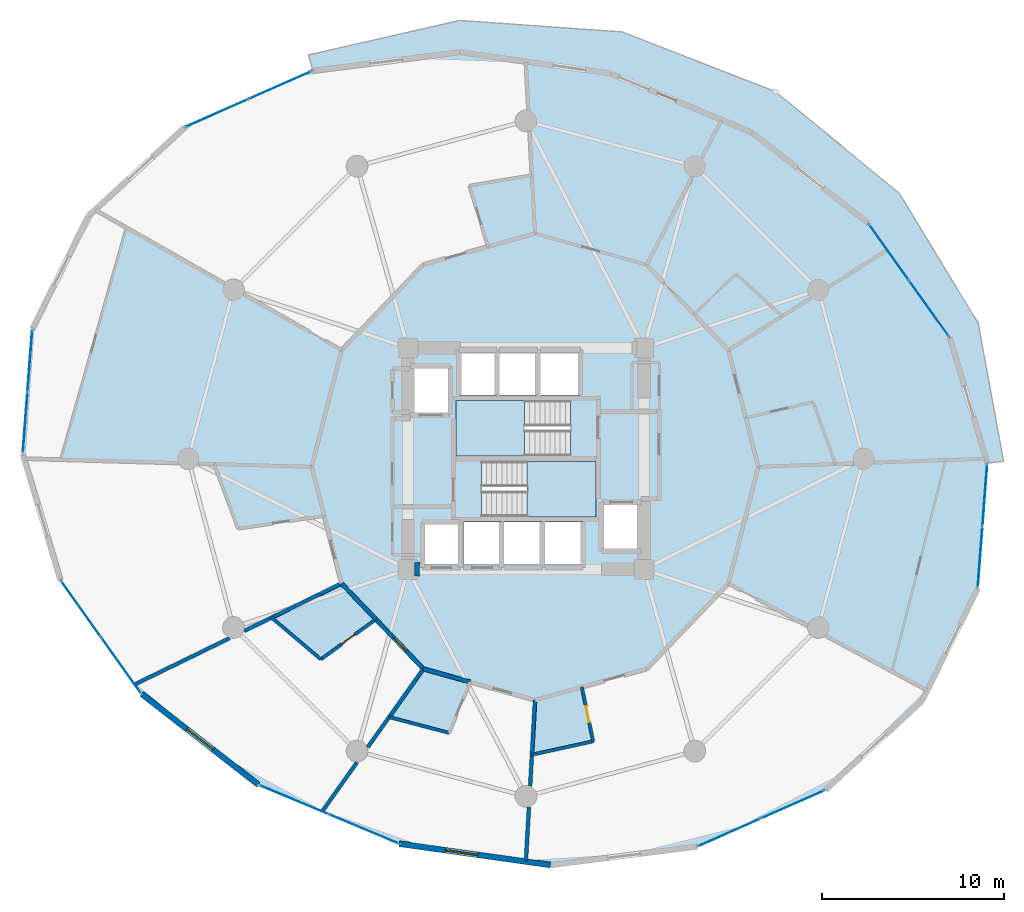
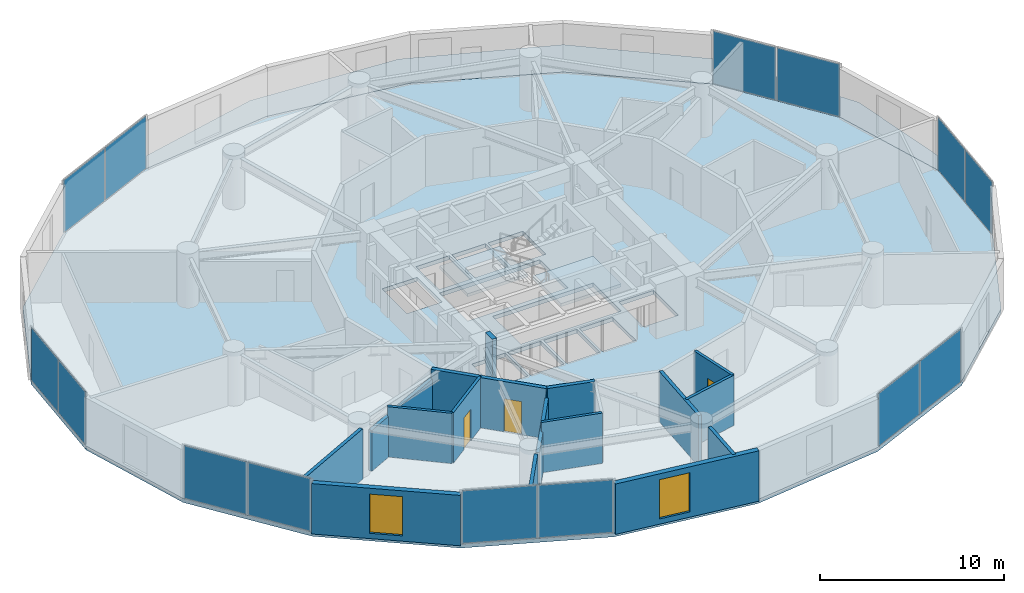
# One storey, part 18 of 25: 17 walls, 14 plates, 4 slabs, 3 doors, 2 windows, 5 openings, 9 elements without a shape of their own.
"""IFC4 building model written with IfcOpenShell, lengths in metres."""

from ifc_helpers import new_model, si_unit, direction, frame, frame_2d, origin, origin_2d, place, context, subcontext, project, spatial, polyline, rectangle, outline, extrude, source, transform, mapped, material, layer, layer_set, type_object, element, fill, aggregate, save


model = new_model("IFC4")

# Units and contexts
model_context = context("Model", 3, precision=1e-05, world=origin(), true_north=direction((0.0, 1.0)))
body_context = subcontext(model_context, "Body", "Model", "MODEL_VIEW")
ifc_project = project(units=[si_unit("LENGTHUNIT", "METRE"), si_unit("AREAUNIT", "SQUARE_METRE"), si_unit("VOLUMEUNIT", "CUBIC_METRE"), si_unit("PLANEANGLEUNIT", "RADIAN"), si_unit("MASSUNIT", "GRAM", prefix="KILO")], contexts=[model_context])

# Site, building, storey
site_placement = place(None, origin())
site = spatial("IfcSite", under=ifc_project, at=site_placement, CompositionType="ELEMENT")
building_placement = place(site_placement, origin())
building = spatial("IfcBuilding", under=site, at=building_placement, Name="Solvirekh Grand Hotel", CompositionType="ELEMENT")
storey_placement = place(building_placement, frame((0.0, 0.0, 60.800048828125)))
storey = spatial("IfcBuildingStorey", under=building, at=storey_placement, Name="L14", CompositionType="ELEMENT", Elevation=60.800048828125)

# Slab
ifc_material_1 = material(Name="Concrete C50/60", Category="concrete")
ifc_layer_1 = layer(ifc_material_1, 0.215087890625)
ifc_layer_set_1 = layer_set([ifc_layer_1], Name="Concrete C50/60")
slab_type_1 = type_object("IfcSlabType", Name="ExtCrescentBalc_215", PredefinedType="FLOOR", material=ifc_layer_set_1)
slab_1_placement = place(storey_placement, frame((0.0, 0.0, -0.215087890625)))
element("IfcSlab", 1, at=slab_1_placement, inside=storey, type_object=slab_type_1, Name="L14 sweeping crescent balcony slab", PredefinedType="FLOOR", context=body_context, shape_type="SweptSolid", body=[
    extrude(outline(polyline([(26.306884765625, -0.14599609375), (24.906982421875, 7.4599609375), (20.573974609375, 14.60693359375), (13.7451171875, 20.212890625), (5.305908203125, 23.501953125), (-3.636962890625, 24.135986328125), (-11.97607421875, 22.235107421875), (-11.739013671875, 21.365966796875), (-3.653076171875, 22.385986328125), (4.677001953125, 21.214111328125), (12.43798828125, 17.966064453125), (18.867919921875, 12.958984375), (23.337890625, 6.68310546875), (25.412109375, -0.24609375), (26.306884765625, -0.14599609375)])), origin(), (0.0, 0.0, 1.0), 0.215087890625),
])

# Stair, slab
ifc_material_2 = material(Name="Concrete C40/50", Category="concrete")
stair_type = type_object("IfcStairType", Name="Stair_Core_1450", PredefinedType="HALF_TURN_STAIR", material=ifc_material_2)
stair_1_placement = place(storey_placement, origin())
stair_1 = element("IfcStair", 2, at=stair_1_placement, inside=storey, type_object=stair_type, Name="L14 Enclosed exit stair ST-1", PredefinedType="HALF_TURN_STAIR")
ifc_layer_2 = layer(ifc_material_2, 0.199951171875)
ifc_layer_set_2 = layer_set([ifc_layer_2], Name="Concrete C40/50")
slab_type_2 = type_object("IfcSlabType", Name="Landing_Stair_200", PredefinedType="LANDING", material=ifc_layer_set_2)
slab_2_placement = place(storey_placement, frame((0.0, 0.0, 1.599853515625)))
slab_2 = element("IfcSlab", 3, at=slab_2_placement, type_object=slab_type_2, Name="ST-1 landing 1", PredefinedType="LANDING", context=body_context, shape_type="SweptSolid", body=[
    extrude(outline(polyline([(0.070068359375, -3.199951171875), (3.85009765625, -3.199951171875), (3.85009765625, -0.14990234375), (0.070068359375, -0.14990234375), (0.070068359375, -3.199951171875)])), origin(), (0.0, 0.0, 1.0), 0.2001953125),
])
aggregate(stair_1, [slab_2])

stair_2_placement = place(storey_placement, origin())
stair_2 = element("IfcStair", 4, at=stair_2_placement, inside=storey, type_object=stair_type, Name="L14 Enclosed exit stair ST-2", PredefinedType="HALF_TURN_STAIR")
slab_3_placement = place(storey_placement, frame((0.0, 0.0, 1.599853515625)))
slab_3 = element("IfcSlab", 5, at=slab_3_placement, type_object=slab_type_2, Name="ST-2 landing 1", PredefinedType="LANDING", context=body_context, shape_type="SweptSolid", body=[
    extrude(outline(polyline([(-0.070068359375, 3.199951171875), (-3.85009765625, 3.199951171875), (-3.85009765625, 0.14990234375), (-0.070068359375, 0.14990234375), (-0.070068359375, 3.199951171875)])), origin(), (0.0, 0.0, 1.0), 0.2001953125),
])
aggregate(stair_2, [slab_3])

# Slab
ifc_layer_3 = layer(ifc_material_1, 0.260009765625)
ifc_layer_set_3 = layer_set([ifc_layer_3], Name="Concrete C50/60")
slab_type_3 = type_object("IfcSlabType", Name="Slab_GuestZ1_260", PredefinedType="FLOOR", material=ifc_layer_set_3)
slab_4_placement = place(storey_placement, frame((0.0, 0.0, -0.260009765625)))
element("IfcSlab", 6, at=slab_4_placement, inside=storey, type_object=slab_type_3, Name="L14 structural floor slab", PredefinedType="FLOOR", context=body_context, shape_type="SweptSolid", body=[
    extrude(outline(polyline([(24.885986328125, -7.152099609375), (25.412109375, -0.24609375), (23.337890625, 6.68310546875), (18.867919921875, 12.958984375), (12.43798828125, 17.966064453125), (4.677001953125, 21.214111328125), (-3.653076171875, 22.385986328125), (-11.739013671875, 21.365966796875), (-18.7880859375, 18.2548828125), (-24.111083984375, 13.35693359375), (-27.18603515625, 7.152099609375), (-27.7119140625, 0.24609375), (-25.637939453125, -6.68310546875), (-21.16796875, -12.958984375), (-14.738037109375, -17.966064453125), (-6.97705078125, -21.214111328125), (1.35302734375, -22.385986328125), (9.43896484375, -21.365966796875), (16.488037109375, -18.2548828125), (21.81103515625, -13.35693359375), (24.885986328125, -7.152099609375)]), holes=[polyline([(-2.444091796875, -0.14990234375), (3.85009765625, -0.14990234375), (3.85009765625, -3.199951171875), (-2.444091796875, -3.199951171875), (-2.444091796875, -0.14990234375)]), polyline([(2.444091796875, 0.14990234375), (-3.85009765625, 0.14990234375), (-3.85009765625, 3.199951171875), (2.444091796875, 3.199951171875), (2.444091796875, 0.14990234375)]), polyline([(-5.699951171875, -3.5), (-3.60009765625, -3.5), (-3.60009765625, -6.0), (-5.699951171875, -6.0), (-5.699951171875, -3.5)]), polyline([(-3.449951171875, -3.5), (-1.35009765625, -3.5), (-1.35009765625, -6.0), (-3.449951171875, -6.0), (-3.449951171875, -3.5)]), polyline([(-1.199951171875, -3.5), (0.89990234375, -3.5), (0.89990234375, -6.0), (-1.199951171875, -6.0), (-1.199951171875, -3.5)]), polyline([(1.050048828125, -3.5), (3.14990234375, -3.5), (3.14990234375, -6.0), (1.050048828125, -6.0), (1.050048828125, -3.5)]), polyline([(-3.699951171875, 6.0), (-1.60009765625, 6.0), (-1.60009765625, 3.5), (-3.699951171875, 3.5), (-3.699951171875, 6.0)]), polyline([(-1.449951171875, 6.0), (0.64990234375, 6.0), (0.64990234375, 3.5), (-1.449951171875, 3.5), (-1.449951171875, 6.0)]), polyline([(0.800048828125, 6.0), (3.0, 6.0), (3.0, 3.5), (0.800048828125, 3.5), (0.800048828125, 6.0)]), polyline([(-6.35009765625, 5.10009765625), (-4.14990234375, 5.10009765625), (-4.14990234375, 2.39990234375), (-6.35009765625, 2.39990234375), (-6.35009765625, 5.10009765625)]), polyline([(4.14990234375, -2.39990234375), (6.35009765625, -2.39990234375), (6.35009765625, -5.10009765625), (4.14990234375, -5.10009765625), (4.14990234375, -2.39990234375)])]), origin(), (0.0, 0.0, 1.0), 0.260009765625),
])

# Curtain wall, plates
ifc_material_3 = material(Name="Anodized Bronze Aluminium 6063-T6", Category="aluminium")
ifc_layer_4 = layer(ifc_material_3, 0.18994140625)
ifc_layer_set_4 = layer_set([ifc_layer_4], Name="Anodized Bronze Aluminium 6063-T6")
curtain_wall_type = type_object("IfcCurtainWallType", Name="CW_Sys2_LowZoneFlushBronzeCW", PredefinedType="NOTDEFINED", material=ifc_layer_set_4)
curtain_wall_1_placement = place(storey_placement, origin())
curtain_wall_1 = element("IfcCurtainWall", 7, at=curtain_wall_1_placement, inside=storey, type_object=curtain_wall_type, Name="L14 unitised bronze-glass curtain wall CW-L14-C15", PredefinedType="NOTDEFINED")
ifc_material_4 = material(Name="Low-E Tinted Bronze Laminated Glass", Category="aluminium")
ifc_layer_5 = layer(ifc_material_4, 0.0380859375)
ifc_layer_set_5 = layer_set([ifc_layer_5], Name="Low-E Tinted Bronze Laminated Glass")
plate_type = type_object("IfcPlateType", Name="CWPanel_Low_38", PredefinedType="CURTAIN_PANEL", material=ifc_layer_set_5)
shared_shape_1 = source(origin(), body_context, "Body", "SweptSolid", [
    extrude(rectangle(XDim=4.1015625, YDim=0.0380859375, at=origin_2d()), origin(), (0.0, 0.0, 1.0), 3.47998046875),
])
plate_1_placement = place(storey_placement, frame((-12.781494140625, -18.78466796875, 0.06005859375), z_axis=(0.0, 0.0, 1.0), x_axis=(0.922474460433, -0.38605811719, 0.0)))
plate_1 = element("IfcPlate", 8, at=plate_1_placement, type_object=plate_type, Name="U02 panel 1.1", PredefinedType="CURTAIN_PANEL", context=body_context, shape_type="MappedRepresentation", body=[
    mapped(shared_shape_1, transform((0.0, 0.0, 0.0), x_axis=(1.0, 0.0, 0.0), y_axis=(0.0, 1.0, 0.0), z_axis=(0.0, 0.0, 1.0), scale=1.0)),
])
plate_2_placement = place(storey_placement, frame((-8.933349609375, -20.395263671875, 0.06005859375), z_axis=(0.0, 0.0, 1.0), x_axis=(0.922474460433, -0.38605811719, 0.0)))
plate_2 = element("IfcPlate", 9, at=plate_2_placement, type_object=plate_type, Name="U02 panel 2.1", PredefinedType="CURTAIN_PANEL", context=body_context, shape_type="MappedRepresentation", body=[
    mapped(shared_shape_1, transform((0.0, 0.0, 0.0), x_axis=(1.0, 0.0, 0.0), y_axis=(0.0, 1.0, 0.0), z_axis=(0.0, 0.0, 1.0), scale=1.0)),
])
aggregate(curtain_wall_1, [plate_1, plate_2])

curtain_wall_2_placement = place(storey_placement, origin())
curtain_wall_2 = element("IfcCurtainWall", 10, at=curtain_wall_2_placement, inside=storey, type_object=curtain_wall_type, Name="L14 unitised bronze-glass curtain wall CW-L14-C03", PredefinedType="NOTDEFINED")
shared_shape_2 = source(origin(), body_context, "Body", "SweptSolid", [
    extrude(rectangle(XDim=3.74755859375, YDim=0.0380859375, at=origin_2d()), origin(), (0.0, 0.0, 1.0), 3.47998046875),
])
plate_3_placement = place(storey_placement, frame((22.21044921875, 8.266357421875, 0.06005859375), z_axis=(0.0, 0.0, 1.0), x_axis=(-0.580132743373, 0.814521945724, 0.0)))
plate_3 = element("IfcPlate", 11, at=plate_3_placement, type_object=plate_type, Name="U02 panel 1.1", PredefinedType="CURTAIN_PANEL", context=body_context, shape_type="MappedRepresentation", body=[
    mapped(shared_shape_2, transform((0.0, 0.0, 0.0), x_axis=(1.0, 0.0, 0.0), y_axis=(0.0, 1.0, 0.0), z_axis=(0.0, 0.0, 1.0), scale=1.0)),
])
plate_4_placement = place(storey_placement, frame((19.99560546875, 11.375732421875, 0.06005859375), z_axis=(0.0, 0.0, 1.0), x_axis=(-0.580132743373, 0.814521945724, 0.0)))
plate_4 = element("IfcPlate", 12, at=plate_4_placement, type_object=plate_type, Name="U02 panel 2.1", PredefinedType="CURTAIN_PANEL", context=body_context, shape_type="MappedRepresentation", body=[
    mapped(shared_shape_2, transform((0.0, 0.0, 0.0), x_axis=(1.0, 0.0, 0.0), y_axis=(0.0, 1.0, 0.0), z_axis=(0.0, 0.0, 1.0), scale=1.0)),
])
aggregate(curtain_wall_2, [plate_3, plate_4])

curtain_wall_3_placement = place(storey_placement, origin())
curtain_wall_3 = element("IfcCurtainWall", 13, at=curtain_wall_3_placement, inside=storey, type_object=curtain_wall_type, Name="L14 unitised bronze-glass curtain wall CW-L14-C08", PredefinedType="NOTDEFINED")
plate_5_placement = place(storey_placement, frame((-13.517333984375, 20.581298828125, 0.06005859375), z_axis=(0.0, 0.0, 1.0), x_axis=(-0.914862814871, -0.403764820119, 0.0)))
plate_5 = element("IfcPlate", 14, at=plate_5_placement, type_object=plate_type, Name="U02 panel 1.1", PredefinedType="CURTAIN_PANEL", context=body_context, shape_type="MappedRepresentation", body=[
    mapped(shared_shape_2, transform((0.0, 0.0, 0.0), x_axis=(1.0, 0.0, 0.0), y_axis=(0.0, 1.0, 0.0), z_axis=(0.0, 0.0, 1.0), scale=1.0)),
])
plate_6_placement = place(storey_placement, frame((-17.009765625, 19.039794921875, 0.06005859375), z_axis=(0.0, 0.0, 1.0), x_axis=(-0.914862814871, -0.403764820119, 0.0)))
plate_6 = element("IfcPlate", 15, at=plate_6_placement, type_object=plate_type, Name="U02 panel 2.1", PredefinedType="CURTAIN_PANEL", context=body_context, shape_type="MappedRepresentation", body=[
    mapped(shared_shape_2, transform((0.0, 0.0, 0.0), x_axis=(1.0, 0.0, 0.0), y_axis=(0.0, 1.0, 0.0), z_axis=(0.0, 0.0, 1.0), scale=1.0)),
])
aggregate(curtain_wall_3, [plate_5, plate_6])

curtain_wall_4_placement = place(storey_placement, origin())
curtain_wall_4 = element("IfcCurtainWall", 16, at=curtain_wall_4_placement, inside=storey, type_object=curtain_wall_type, Name="L14 unitised bronze-glass curtain wall CW-L14-C13", PredefinedType="NOTDEFINED")
plate_7_placement = place(storey_placement, frame((-24.51025390625, -8.266357421875, 0.06005859375), z_axis=(0.0, 0.0, 1.0), x_axis=(0.580132743373, -0.814521945724, 0.0)))
plate_7 = element("IfcPlate", 17, at=plate_7_placement, type_object=plate_type, Name="U02 panel 1.1", PredefinedType="CURTAIN_PANEL", context=body_context, shape_type="MappedRepresentation", body=[
    mapped(shared_shape_2, transform((0.0, 0.0, 0.0), x_axis=(1.0, 0.0, 0.0), y_axis=(0.0, 1.0, 0.0), z_axis=(0.0, 0.0, 1.0), scale=1.0)),
])
plate_8_placement = place(storey_placement, frame((-22.295654296875, -11.375732421875, 0.06005859375), z_axis=(0.0, 0.0, 1.0), x_axis=(0.580132743373, -0.814521945724, 0.0)))
plate_8 = element("IfcPlate", 18, at=plate_8_placement, type_object=plate_type, Name="U02 panel 2.1", PredefinedType="CURTAIN_PANEL", context=body_context, shape_type="MappedRepresentation", body=[
    mapped(shared_shape_2, transform((0.0, 0.0, 0.0), x_axis=(1.0, 0.0, 0.0), y_axis=(0.0, 1.0, 0.0), z_axis=(0.0, 0.0, 1.0), scale=1.0)),
])
aggregate(curtain_wall_4, [plate_7, plate_8])

curtain_wall_5_placement = place(storey_placement, origin())
curtain_wall_5 = element("IfcCurtainWall", 19, at=curtain_wall_5_placement, inside=storey, type_object=curtain_wall_type, Name="L14 unitised bronze-glass curtain wall CW-L14-C18", PredefinedType="NOTDEFINED")
plate_9_placement = place(storey_placement, frame((11.21728515625, -20.581298828125, 0.06005859375), z_axis=(0.0, 0.0, 1.0), x_axis=(0.914862814871, 0.403764820119, 0.0)))
plate_9 = element("IfcPlate", 20, at=plate_9_placement, type_object=plate_type, Name="U02 panel 1.1", PredefinedType="CURTAIN_PANEL", context=body_context, shape_type="MappedRepresentation", body=[
    mapped(shared_shape_2, transform((0.0, 0.0, 0.0), x_axis=(1.0, 0.0, 0.0), y_axis=(0.0, 1.0, 0.0), z_axis=(0.0, 0.0, 1.0), scale=1.0)),
])
plate_10_placement = place(storey_placement, frame((14.709716796875, -19.039794921875, 0.06005859375), z_axis=(0.0, 0.0, 1.0), x_axis=(0.914862814871, 0.403764820119, 0.0)))
plate_10 = element("IfcPlate", 21, at=plate_10_placement, type_object=plate_type, Name="U02 panel 2.1", PredefinedType="CURTAIN_PANEL", context=body_context, shape_type="MappedRepresentation", body=[
    mapped(shared_shape_2, transform((0.0, 0.0, 0.0), x_axis=(1.0, 0.0, 0.0), y_axis=(0.0, 1.0, 0.0), z_axis=(0.0, 0.0, 1.0), scale=1.0)),
])
aggregate(curtain_wall_5, [plate_9, plate_10])

curtain_wall_6_placement = place(storey_placement, origin())
curtain_wall_6 = element("IfcCurtainWall", 22, at=curtain_wall_6_placement, inside=storey, type_object=curtain_wall_type, Name="L14 unitised bronze-glass curtain wall CW-L14-C01", PredefinedType="NOTDEFINED")
shared_shape_3 = source(origin(), body_context, "Body", "SweptSolid", [
    extrude(rectangle(XDim=3.35791015625, YDim=0.0380859375, at=origin_2d()), origin(), (0.0, 0.0, 1.0), 3.47998046875),
])
plate_11_placement = place(storey_placement, frame((25.018798828125, -5.407958984375, 0.06005859375), z_axis=(0.0, 0.0, 1.0), x_axis=(0.075945683315, 0.997111956194, 0.0)))
plate_11 = element("IfcPlate", 23, at=plate_11_placement, type_object=plate_type, Name="U02 panel 1.1", PredefinedType="CURTAIN_PANEL", context=body_context, shape_type="MappedRepresentation", body=[
    mapped(shared_shape_3, transform((0.0, 0.0, 0.0), x_axis=(1.0, 0.0, 0.0), y_axis=(0.0, 1.0, 0.0), z_axis=(0.0, 0.0, 1.0), scale=1.0)),
])
plate_12_placement = place(storey_placement, frame((25.279052734375, -1.989990234375, 0.06005859375), z_axis=(0.0, 0.0, 1.0), x_axis=(0.075945683315, 0.997111956194, 0.0)))
plate_12 = element("IfcPlate", 24, at=plate_12_placement, type_object=plate_type, Name="U02 panel 2.1", PredefinedType="CURTAIN_PANEL", context=body_context, shape_type="MappedRepresentation", body=[
    mapped(shared_shape_3, transform((0.0, 0.0, 0.0), x_axis=(1.0, 0.0, 0.0), y_axis=(0.0, 1.0, 0.0), z_axis=(0.0, 0.0, 1.0), scale=1.0)),
])
aggregate(curtain_wall_6, [plate_11, plate_12])

curtain_wall_7_placement = place(storey_placement, origin())
curtain_wall_7 = element("IfcCurtainWall", 25, at=curtain_wall_7_placement, inside=storey, type_object=curtain_wall_type, Name="L14 unitised bronze-glass curtain wall CW-L14-C11", PredefinedType="NOTDEFINED")
plate_13_placement = place(storey_placement, frame((-27.31884765625, 5.407958984375, 0.06005859375), z_axis=(0.0, 0.0, 1.0), x_axis=(-0.075945683315, -0.997111956194, 0.0)))
plate_13 = element("IfcPlate", 26, at=plate_13_placement, type_object=plate_type, Name="U02 panel 1.1", PredefinedType="CURTAIN_PANEL", context=body_context, shape_type="MappedRepresentation", body=[
    mapped(shared_shape_3, transform((0.0, 0.0, 0.0), x_axis=(1.0, 0.0, 0.0), y_axis=(0.0, 1.0, 0.0), z_axis=(0.0, 0.0, 1.0), scale=1.0)),
])
plate_14_placement = place(storey_placement, frame((-27.5791015625, 1.989990234375, 0.06005859375), z_axis=(0.0, 0.0, 1.0), x_axis=(-0.075945683315, -0.997111956194, 0.0)))
plate_14 = element("IfcPlate", 27, at=plate_14_placement, type_object=plate_type, Name="U02 panel 2.1", PredefinedType="CURTAIN_PANEL", context=body_context, shape_type="MappedRepresentation", body=[
    mapped(shared_shape_3, transform((0.0, 0.0, 0.0), x_axis=(1.0, 0.0, 0.0), y_axis=(0.0, 1.0, 0.0), z_axis=(0.0, 0.0, 1.0), scale=1.0)),
])
aggregate(curtain_wall_7, [plate_13, plate_14])

# Wall
ifc_material_5 = material(Name="Concrete C60/75", Category="concrete")
ifc_layer_6 = layer(ifc_material_5, 0.75)
ifc_layer_set_6 = layer_set([ifc_layer_6], Name="Concrete C60/75")
wall_type_1 = type_object("IfcWallType", Name="CoreWall_RC750", PredefinedType="SHEAR", material=ifc_layer_set_6)
wall_1_placement = place(storey_placement, frame((-6.125, -6.10009765625, 0.0), z_axis=(0.0, 0.0, 1.0), x_axis=(1.0, 0.0, 0.0)))
element("IfcWall", 28, at=wall_1_placement, inside=storey, type_object=wall_type_1, Name="L14 core corner shear wall SW-S", PredefinedType="SHEAR", context=body_context, shape_type="SweptSolid", body=[
    extrude(rectangle(XDim=0.27490234375, YDim=0.75, at=frame_2d((0.137451171875, 0.0))), origin(), (0.0, 0.0, 1.0), 3.599853515625),
])

# Wall, opening, window
ifc_material_6 = material(Name="Precast concrete C45/55", Category="concrete")
ifc_layer_7 = layer(ifc_material_6, 0.320068359375)
ifc_layer_set_7 = layer_set([ifc_layer_7], Name="Precast concrete C45/55")
wall_type_2 = type_object("IfcWallType", Name="ExtLobbyWall_RC320", PredefinedType="SOLIDWALL", material=ifc_layer_set_7)
wall_2_placement = place(storey_placement, frame((-14.738037109375, -17.966064453125, 0.0), z_axis=(0.0, 0.0, 1.0), x_axis=(-0.788993974252, 0.614400934728, 0.0)))
wall_2 = element("IfcWall", 29, at=wall_2_placement, inside=storey, type_object=wall_type_2, Name="L14 exterior structural wall chord 14", PredefinedType="SOLIDWALL", context=body_context, shape_type="SweptSolid", body=[
    extrude(rectangle(XDim=8.1494140625, YDim=0.320068359375, at=frame_2d((4.07470703125, 0.0))), origin(), (0.0, 0.0, 1.0), 3.33984375),
])
opening_1_placement = place(wall_2_placement, frame((3.175048828125, 0.0, 0.35009765625)))
opening_1 = element("IfcOpeningElement", 30, at=opening_1_placement, cuts=wall_2, Name="Opening W02", PredefinedType="OPENING", context=body_context, shape_type="SweptSolid", body=[
    extrude(rectangle(XDim=1.800048828125, YDim=2.60009765625, at=frame_2d((0.89990234375, 1.300048828125))), frame((0.0, 0.169921875, 0.0), z_axis=(0.0, -1.0, 0.0), x_axis=(1.0, 0.0, 0.0)), (0.0, 0.0, 1.0), 0.340087890625),
])
window_type = type_object("IfcWindowType", Name="Win_LobbyExt_1800X2600", PartitioningType="SINGLE_PANEL", PredefinedType="WINDOW", material=ifc_material_4)
window_1_placement = place(opening_1_placement, origin())
window_1 = element("IfcWindow", 31, at=window_1_placement, inside=storey, type_object=window_type, Name="L14 panoramic bronze-framed window 14", OverallHeight=2.60009765625, OverallWidth=1.800048828125, PartitioningType="SINGLE_PANEL", PredefinedType="WINDOW", context=body_context, shape_type="SweptSolid", body=[
    extrude(rectangle(XDim=1.800048828125, YDim=2.60009765625, at=frame_2d((0.89990234375, 1.300048828125))), frame((0.0, 0.030029296875, 0.0), z_axis=(0.0, -1.0, 0.0), x_axis=(1.0, 0.0, 0.0)), (0.0, 0.0, 1.0), 0.06005859375),
])
fill(opening_1, window_1)

wall_3_placement = place(storey_placement, frame((1.35302734375, -22.385986328125, 0.0), z_axis=(0.0, 0.0, 1.0), x_axis=(-0.990249073368, 0.139308193205, 0.0)))
wall_3 = element("IfcWall", 32, at=wall_3_placement, inside=storey, type_object=wall_type_2, Name="L14 exterior structural wall chord 16", PredefinedType="SOLIDWALL", context=body_context, shape_type="SweptSolid", body=[
    extrude(rectangle(XDim=8.412109375, YDim=0.320068359375, at=frame_2d((4.2060546875, 0.0))), origin(), (0.0, 0.0, 1.0), 3.33984375),
])
opening_2_placement = place(wall_3_placement, frame((4.0419921875, 0.0, 0.35009765625)))
opening_2 = element("IfcOpeningElement", 33, at=opening_2_placement, cuts=wall_3, Name="Opening W02", PredefinedType="OPENING", context=body_context, shape_type="SweptSolid", body=[
    extrude(rectangle(XDim=1.800048828125, YDim=2.60009765625, at=frame_2d((0.89990234375, 1.300048828125))), frame((0.0, 0.169921875, 0.0), z_axis=(0.0, -1.0, 0.0), x_axis=(1.0, 0.0, 0.0)), (0.0, 0.0, 1.0), 0.340087890625),
])
window_2_placement = place(opening_2_placement, origin())
window_2 = element("IfcWindow", 34, at=window_2_placement, inside=storey, type_object=window_type, Name="L14 panoramic bronze-framed window 16", OverallHeight=2.60009765625, OverallWidth=1.800048828125, PartitioningType="SINGLE_PANEL", PredefinedType="WINDOW", context=body_context, shape_type="SweptSolid", body=[
    extrude(rectangle(XDim=1.800048828125, YDim=2.60009765625, at=frame_2d((0.89990234375, 1.300048828125))), frame((0.0, 0.030029296875, 0.0), z_axis=(0.0, -1.0, 0.0), x_axis=(1.0, 0.0, 0.0)), (0.0, 0.0, 1.0), 0.06005859375),
])
fill(opening_2, window_2)

# Wall
ifc_material_7 = material(Name="Acoustic Gypsum Partition Assembly")
ifc_layer_8 = layer(ifc_material_7, 0.239990234375)
ifc_layer_set_8 = layer_set([ifc_layer_8], Name="Acoustic Gypsum Partition Assembly")
wall_type_3 = type_object("IfcWallType", Name="Part_Corridor_240", PredefinedType="PARTITIONING", material=ifc_layer_set_8)
wall_4_placement = place(storey_placement, frame((-10.152099609375, -6.875, 0.0), z_axis=(0.0, 0.0, 1.0), x_axis=(0.691583392139, -0.722296623083, 0.0)))
element("IfcWall", 35, at=wall_4_placement, inside=storey, type_object=wall_type_3, Name="L14 En-suite Bathroom 1603 corridor backing wall", PredefinedType="PARTITIONING", context=body_context, shape_type="SweptSolid", body=[
    extrude(rectangle(XDim=2.734375, YDim=0.239990234375, at=frame_2d((1.3671875, 0.0))), origin(), (0.0, 0.0, 1.0), 3.33984375),
])

# Wall, opening, door
wall_5_placement = place(storey_placement, frame((-8.260986328125, -8.85009765625, 0.0), z_axis=(0.0, 0.0, 1.0), x_axis=(0.691485368968, -0.722390465402, 0.0)))
wall_5 = element("IfcWall", 36, at=wall_5_placement, inside=storey, type_object=wall_type_3, Name="L14 Deluxe Guestroom 1603 entrance wall", PredefinedType="PARTITIONING", context=body_context, shape_type="SweptSolid", body=[
    extrude(rectangle(XDim=3.776123046875, YDim=0.239990234375, at=frame_2d((1.88818359375, 0.0))), origin(), (0.0, 0.0, 1.0), 3.33984375),
])
opening_3_placement = place(wall_5_placement, frame((1.387939453125, 0.0, 0.0)))
opening_3 = element("IfcOpeningElement", 37, at=opening_3_placement, cuts=wall_5, Name="Opening D07", PredefinedType="OPENING", context=body_context, shape_type="SweptSolid", body=[
    extrude(rectangle(XDim=1.0, YDim=2.199951171875, at=frame_2d((0.5, 1.10009765625))), frame((0.0, 0.1298828125, 0.0), z_axis=(0.0, -1.0, 0.0), x_axis=(1.0, 0.0, 0.0)), (0.0, 0.0, 1.0), 0.260009765625),
])
ifc_material_8 = material(Name="Fire-Rated Steel Door Assembly", Category="steel")
door_type_1 = type_object("IfcDoorType", Name="Door_GuestEntry_1000X2200", OperationType="NOTDEFINED", PredefinedType="DOOR", material=ifc_material_8)
door_1_placement = place(opening_3_placement, origin())
door_1 = element("IfcDoor", 38, at=door_1_placement, inside=storey, type_object=door_type_1, Name="L14 Deluxe Guestroom 1603 entrance door", OperationType="SINGLE_SWING_RIGHT", OverallHeight=2.199951171875, OverallWidth=1.0, PredefinedType="DOOR", context=body_context, shape_type="SweptSolid", body=[
    extrude(rectangle(XDim=1.0, YDim=2.199951171875, at=frame_2d((0.5, 1.10009765625))), frame((0.0, 0.02490234375, 0.0), z_axis=(0.0, -1.0, 0.0), x_axis=(1.0, 0.0, 0.0)), (0.0, 0.0, 1.0), 0.050048828125),
])
fill(opening_3, door_1)

# Walls
wall_6_placement = place(storey_placement, frame((-5.64990234375, -11.577880859375, 0.0), z_axis=(0.0, 0.0, 1.0), x_axis=(0.96297347206, -0.269596164862, 0.0)))
element("IfcWall", 39, at=wall_6_placement, inside=storey, type_object=wall_type_3, Name="L14 En-suite Bathroom 1604 corridor backing wall", PredefinedType="PARTITIONING", context=body_context, shape_type="SweptSolid", body=[
    extrude(rectangle(XDim=2.682373046875, YDim=0.239990234375, at=frame_2d((1.34130859375, 0.0))), origin(), (0.0, 0.0, 1.0), 3.33984375),
])
ifc_layer_9 = layer(ifc_material_7, 0.2099609375)
ifc_layer_set_9 = layer_set([ifc_layer_9], Name="Acoustic Gypsum Partition Assembly")
wall_type_4 = type_object("IfcWallType", Name="Part_SuiteDemise_210", PredefinedType="PARTITIONING", material=ifc_layer_set_9)
wall_7_placement = place(storey_placement, frame((-10.152099609375, -6.875, 0.0), z_axis=(0.0, 0.0, 1.0), x_axis=(-0.898710680371, -0.438542031039, 0.0)))
element("IfcWall", 40, at=wall_7_placement, inside=storey, type_object=wall_type_4, Name="L14 suite radial wall 8 (A)", PredefinedType="PARTITIONING", context=body_context, shape_type="SweptSolid", body=[
    extrude(rectangle(XDim=5.971923828125, YDim=0.2099609375, at=frame_2d((2.98583984375, 0.0))), origin(), (0.0, 0.0, 1.0), 2.708984375),
])
wall_8_placement = place(storey_placement, frame((-16.31689453125, -9.884033203125, 0.0), z_axis=(0.0, 0.0, 1.0), x_axis=(-0.898723333694, -0.438516099447, 0.0)))
element("IfcWall", 41, at=wall_8_placement, inside=storey, type_object=wall_type_4, Name="L14 suite radial wall 8 (B)", PredefinedType="PARTITIONING", context=body_context, shape_type="SweptSolid", body=[
    extrude(rectangle(XDim=5.77392578125, YDim=0.2099609375, at=frame_2d((2.886962890625, 0.0))), origin(), (0.0, 0.0, 1.0), 3.33984375),
])
wall_9_placement = place(storey_placement, frame((-5.64990234375, -11.577880859375, 0.0), z_axis=(0.0, 0.0, 1.0), x_axis=(-0.578698566801, -0.815541518736, 0.0)))
element("IfcWall", 42, at=wall_9_placement, inside=storey, type_object=wall_type_4, Name="L14 suite radial wall 9 (A)", PredefinedType="PARTITIONING", context=body_context, shape_type="SweptSolid", body=[
    extrude(rectangle(XDim=5.29833984375, YDim=0.2099609375, at=frame_2d((2.649169921875, 0.0))), origin(), (0.0, 0.0, 1.0), 2.708984375),
])
wall_10_placement = place(storey_placement, frame((-9.303955078125, -16.72802734375, 0.0), z_axis=(0.0, 0.0, 1.0), x_axis=(-0.578651190497, -0.815575134329, 0.0)))
element("IfcWall", 43, at=wall_10_placement, inside=storey, type_object=wall_type_4, Name="L14 suite radial wall 9 (B)", PredefinedType="PARTITIONING", context=body_context, shape_type="SweptSolid", body=[
    extrude(rectangle(XDim=3.280029296875, YDim=0.2099609375, at=frame_2d((1.64013671875, 0.0))), origin(), (0.0, 0.0, 1.0), 3.33984375),
])
wall_11_placement = place(storey_placement, frame((0.5, -13.300048828125, 0.0), z_axis=(0.0, 0.0, 1.0), x_axis=(-0.056426975332, -0.998406728971, 0.0)))
element("IfcWall", 44, at=wall_11_placement, inside=storey, type_object=wall_type_4, Name="L14 suite radial wall 10 (A)", PredefinedType="PARTITIONING", context=body_context, shape_type="SweptSolid", body=[
    extrude(rectangle(XDim=4.7333984375, YDim=0.2099609375, at=frame_2d((2.36669921875, 0.0))), origin(), (0.0, 0.0, 1.0), 3.33984375),
])
wall_12_placement = place(storey_placement, frame((0.1669921875, -19.197021484375, 0.0), z_axis=(0.0, 0.0, 1.0), x_axis=(-0.056345984429, -0.99841130304, 0.0)))
element("IfcWall", 45, at=wall_12_placement, inside=storey, type_object=wall_type_4, Name="L14 suite radial wall 10 (B)", PredefinedType="PARTITIONING", context=body_context, shape_type="SweptSolid", body=[
    extrude(rectangle(XDim=2.963623046875, YDim=0.2099609375, at=frame_2d((1.48193359375, 0.0))), origin(), (0.0, 0.0, 1.0), 3.33984375),
])
ifc_layer_10 = layer(ifc_material_7, 0.175048828125)
ifc_layer_set_10 = layer_set([ifc_layer_10], Name="Acoustic Gypsum Partition Assembly")
wall_type_5 = type_object("IfcWallType", Name="Plumb_Ensuite_175", PredefinedType="PLUMBINGWALL", material=ifc_layer_set_10)
wall_13_placement = place(storey_placement, frame((-14.011962890625, -8.759033203125, 0.0), z_axis=(0.0, 0.0, 1.0), x_axis=(0.763339486507, -0.645997545149, 0.0)))
element("IfcWall", 46, at=wall_13_placement, inside=storey, type_object=wall_type_5, Name="L14 En-suite Bathroom 1603 outer plumbing wall", PredefinedType="PLUMBINGWALL", context=body_context, shape_type="SweptSolid", body=[
    extrude(rectangle(XDim=3.56201171875, YDim=0.175048828125, at=frame_2d((1.781005859375, 0.0))), origin(), (0.0, 0.0, 1.0), 3.33984375),
])

# Wall, opening, door
wall_14_placement = place(storey_placement, frame((-8.260986328125, -8.85009765625, 0.0), z_axis=(0.0, 0.0, 1.0), x_axis=(-0.808116582647, -0.589022570748, 0.0)))
wall_14 = element("IfcWall", 47, at=wall_14_placement, inside=storey, type_object=wall_type_5, Name="L14 En-suite Bathroom 1603 entry plumbing wall", PredefinedType="PLUMBINGWALL", context=body_context, shape_type="SweptSolid", body=[
    extrude(rectangle(XDim=3.751953125, YDim=0.175048828125, at=frame_2d((1.8759765625, 0.0))), origin(), (0.0, 0.0, 1.0), 3.33984375),
])
opening_4_placement = place(wall_14_placement, frame((1.426025390625, 0.0, 0.0)))
opening_4 = element("IfcOpeningElement", 48, at=opening_4_placement, cuts=wall_14, Name="Opening D09", PredefinedType="OPENING", context=body_context, shape_type="SweptSolid", body=[
    extrude(rectangle(XDim=0.89990234375, YDim=2.10009765625, at=frame_2d((0.449951171875, 1.050048828125))), frame((0.0, 0.09765625, 0.0), z_axis=(0.0, -1.0, 0.0), x_axis=(1.0, 0.0, 0.0)), (0.0, 0.0, 1.0), 0.195068359375),
])
door_type_2 = type_object("IfcDoorType", Name="Door_Ensuite_900X2100", OperationType="NOTDEFINED", PredefinedType="DOOR", material=ifc_material_3)
door_2_placement = place(opening_4_placement, origin())
door_2 = element("IfcDoor", 49, at=door_2_placement, inside=storey, type_object=door_type_2, Name="L14 En-suite Bathroom 1603 door", OperationType="SINGLE_SWING_LEFT", OverallHeight=2.10009765625, OverallWidth=0.89990234375, PredefinedType="DOOR", context=body_context, shape_type="SweptSolid", body=[
    extrude(rectangle(XDim=0.89990234375, YDim=2.10009765625, at=frame_2d((0.449951171875, 1.050048828125))), frame((0.0, 0.02490234375, 0.0), z_axis=(0.0, -1.0, 0.0), x_axis=(1.0, 0.0, 0.0)), (0.0, 0.0, 1.0), 0.050048828125),
])
fill(opening_4, door_2)

# Walls
wall_15_placement = place(storey_placement, frame((-7.5380859375, -14.238037109375, 0.0), z_axis=(0.0, 0.0, 1.0), x_axis=(0.96699769845, -0.254785107872, 0.0)))
element("IfcWall", 50, at=wall_15_placement, inside=storey, type_object=wall_type_5, Name="L14 En-suite Bathroom 1604 outer plumbing wall", PredefinedType="PLUMBINGWALL", context=body_context, shape_type="SweptSolid", body=[
    extrude(rectangle(XDim=3.41796875, YDim=0.175048828125, at=frame_2d((1.708984375, 0.0))), origin(), (0.0, 0.0, 1.0), 3.33984375),
])
wall_16_placement = place(storey_placement, frame((0.330078125, -16.31103515625, 0.0), z_axis=(0.0, 0.0, 1.0), x_axis=(0.976848417726, 0.213932626743, 0.0)))
element("IfcWall", 51, at=wall_16_placement, inside=storey, type_object=wall_type_5, Name="L14 En-suite Bathroom 1605 outer plumbing wall", PredefinedType="PLUMBINGWALL", context=body_context, shape_type="SweptSolid", body=[
    extrude(rectangle(XDim=3.458984375, YDim=0.175048828125, at=frame_2d((1.7294921875, 0.0))), origin(), (0.0, 0.0, 1.0), 3.33984375),
])

# Wall, opening, door
wall_17_placement = place(storey_placement, frame((3.0830078125, -12.576904296875, 0.0), z_axis=(0.0, 0.0, 1.0), x_axis=(0.204642647724, -0.97883675183, 0.0)))
wall_17 = element("IfcWall", 52, at=wall_17_placement, inside=storey, type_object=wall_type_5, Name="L14 En-suite Bathroom 1605 entry plumbing wall", PredefinedType="PLUMBINGWALL", context=body_context, shape_type="SweptSolid", body=[
    extrude(rectangle(XDim=3.058837890625, YDim=0.175048828125, at=frame_2d((1.529296875, 0.0))), origin(), (0.0, 0.0, 1.0), 3.33984375),
])
opening_5_placement = place(wall_17_placement, frame((1.0791015625, 0.0, 0.0)))
opening_5 = element("IfcOpeningElement", 53, at=opening_5_placement, cuts=wall_17, Name="Opening D09", PredefinedType="OPENING", context=body_context, shape_type="SweptSolid", body=[
    extrude(rectangle(XDim=0.89990234375, YDim=2.10009765625, at=frame_2d((0.449951171875, 1.050048828125))), frame((0.0, 0.09765625, 0.0), z_axis=(0.0, -1.0, 0.0), x_axis=(1.0, 0.0, 0.0)), (0.0, 0.0, 1.0), 0.195068359375),
])
door_3_placement = place(opening_5_placement, origin())
door_3 = element("IfcDoor", 54, at=door_3_placement, inside=storey, type_object=door_type_2, Name="L14 En-suite Bathroom 1605 door", OperationType="SINGLE_SWING_LEFT", OverallHeight=2.10009765625, OverallWidth=0.89990234375, PredefinedType="DOOR", context=body_context, shape_type="SweptSolid", body=[
    extrude(rectangle(XDim=0.89990234375, YDim=2.10009765625, at=frame_2d((0.449951171875, 1.050048828125))), frame((0.0, 0.02490234375, 0.0), z_axis=(0.0, -1.0, 0.0), x_axis=(1.0, 0.0, 0.0)), (0.0, 0.0, 1.0), 0.050048828125),
])
fill(opening_5, door_3)

save(model, "model.ifc")
